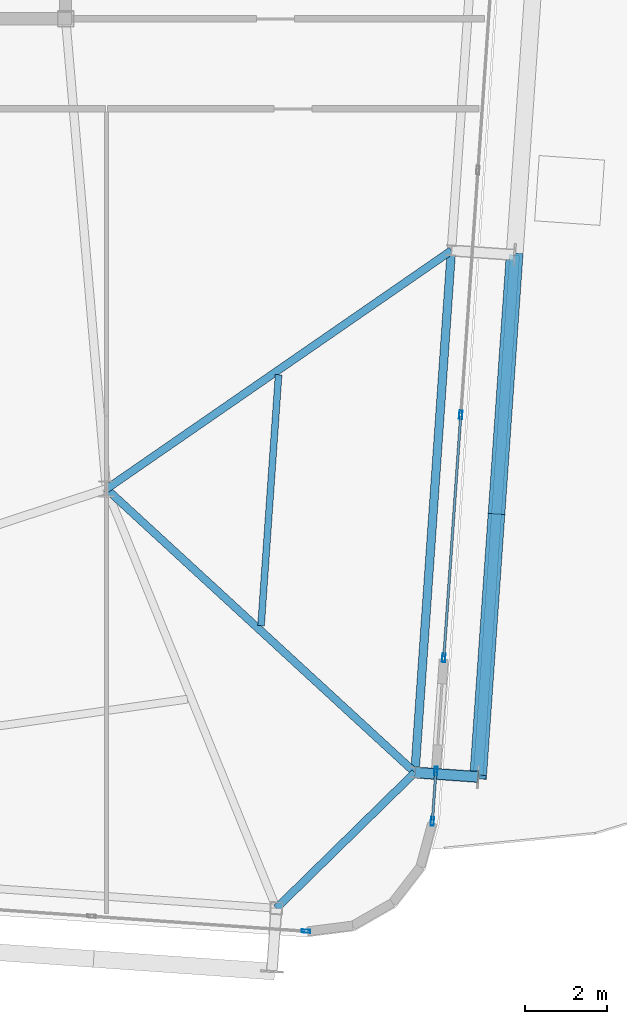
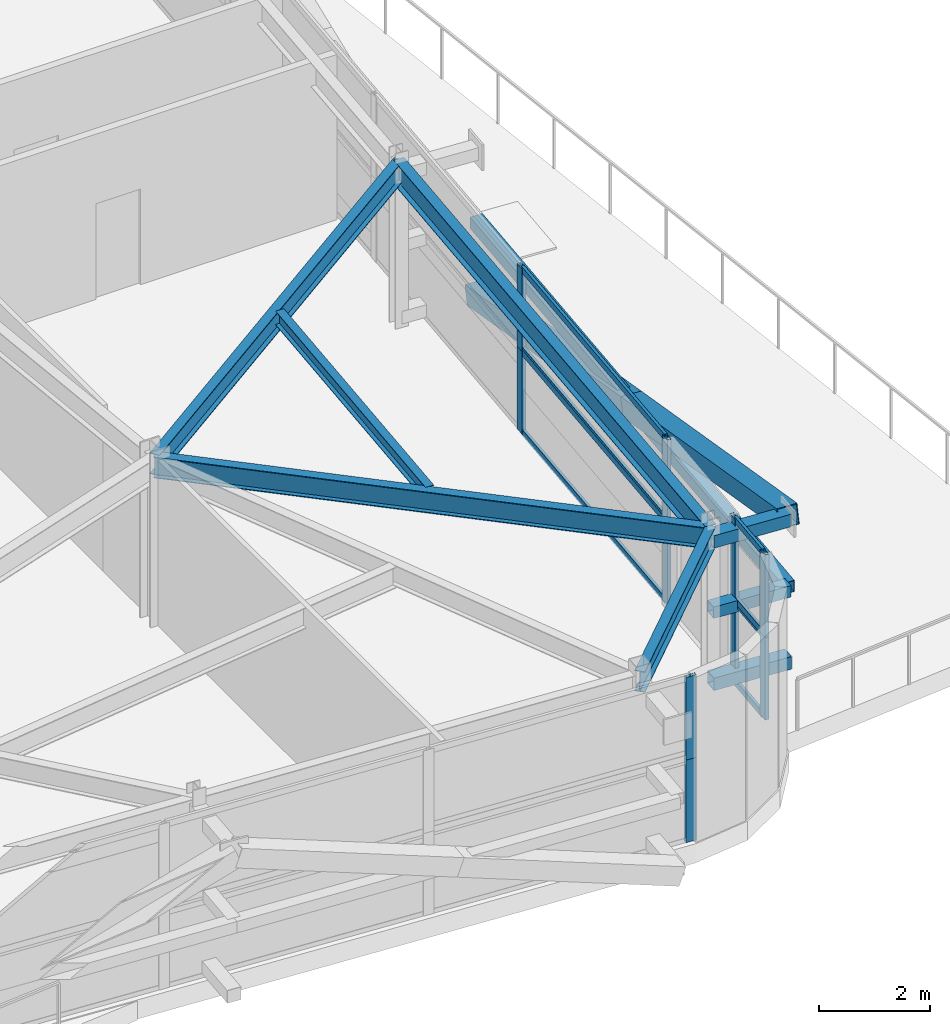
# One storey, part 16 of 36: 24 members, 5 beams, 6 elements without a shape of their own.
"""IFC4 building model written with IfcOpenShell, lengths in metres."""

import ifcopenshell
import ifcopenshell.guid

model = None  # the IFC model being written
_history = None  # IfcOwnerHistory: only IFC2X3 demands one
_inside = {}  # id of a spatial element -> (the spatial element, [elements in it])
_under = {}  # id of a project, library or spatial element -> (it, [spatial elements below it])
_declared = {}  # id of a project -> (the project, [libraries it declares])
_typed = {}  # id of a type object -> (the type object, [elements of that type])
_made_of = {}  # id of a material, layer set ... -> (it, [elements and type objects made of it])


def new_model(schema):
    """Start an empty IFC model of exactly this schema.

    Asked for "IFC4X3", IfcOpenShell would pick the latest addendum, in which some entities
    have other attributes; the version numbers below select the first issue.
    IFC2X3 requires an IfcOwnerHistory on every rooted entity: one is made here for all.
    """
    global model, _history
    if schema == "IFC4X3":
        model = ifcopenshell.file(schema_version=(4, 3, 0, 0))
    else:
        model = ifcopenshell.file(schema=schema)
    _inside.clear()
    _under.clear()
    _declared.clear()
    _typed.clear()
    _made_of.clear()
    _history = None
    if model.schema == "IFC2X3":
        org = make("IfcOrganization", Name="unknown")
        user = make(
            "IfcPersonAndOrganization",
            ThePerson=make("IfcPerson", FamilyName="unknown"),
            TheOrganization=org,
        )
        app = make(
            "IfcApplication",
            ApplicationDeveloper=org,
            Version="unknown",
            ApplicationFullName="unknown",
            ApplicationIdentifier="unknown",
        )
        _history = make(
            "IfcOwnerHistory",
            OwningUser=user,
            OwningApplication=app,
            ChangeAction="ADDED",
            CreationDate=0,
        )
    return model


def make(cls, **values):
    """One entity of the class cls with the attributes given. An attribute that is None is left unset."""
    return model.create_entity(
        cls, **{name: value for name, value in values.items() if value is not None}
    )


def rooted(cls, **values):
    """An entity with a GlobalId (a new one), such as an element, a storey or a relation."""
    return make(cls, GlobalId=ifcopenshell.guid.new(), OwnerHistory=_history, **values)


def si_unit(unit_type, name, prefix=None):
    """IfcSIUnit, for example si_unit("LENGTHUNIT", "METRE", prefix="MILLI")."""
    return make("IfcSIUnit", UnitType=unit_type, Prefix=prefix, Name=name)


def assignment(units):
    """IfcUnitAssignment: the units of a project."""
    return None if units is None else make("IfcUnitAssignment", Units=units)


def point(xyz):
    """IfcCartesianPoint."""
    return None if xyz is None else make("IfcCartesianPoint", Coordinates=xyz)


def direction(xyz):
    """IfcDirection."""
    return None if xyz is None else make("IfcDirection", DirectionRatios=xyz)


def frame(location, z_axis=None, x_axis=None):
    """IfcAxis2Placement3D, a coordinate frame: its origin and axes. An axis left out is left unset."""
    return make(
        "IfcAxis2Placement3D",
        Location=point(location),
        Axis=direction(z_axis),
        RefDirection=direction(x_axis),
    )


def frame_2d(location, x_axis=None):
    """IfcAxis2Placement2D, a coordinate frame in the plane: its origin and x axis."""
    return make(
        "IfcAxis2Placement2D", Location=point(location), RefDirection=direction(x_axis)
    )


def origin():
    """The frame at (0, 0, 0) with its axes left unset."""
    return frame((0.0, 0.0, 0.0))


def origin_2d():
    """The frame at (0, 0) in the plane with its x axis left unset."""
    return frame_2d((0.0, 0.0))


def place(relative_to, where):
    """IfcLocalPlacement: puts the frame where relative to a parent placement (None: the world)."""
    return make(
        "IfcLocalPlacement", PlacementRelTo=relative_to, RelativePlacement=where
    )


def context(
    kind, dimensions, precision=None, world=None, true_north=None, identifier=None
):
    """IfcGeometricRepresentationContext, for example the 3D "Model" context."""
    return make(
        "IfcGeometricRepresentationContext",
        ContextIdentifier=identifier,
        ContextType=kind,
        CoordinateSpaceDimension=dimensions,
        Precision=precision,
        WorldCoordinateSystem=world,
        TrueNorth=true_north,
    )


def subcontext(parent, identifier, kind, view, scale=None):
    """IfcGeometricRepresentationSubContext, for example "Body" below "Model"."""
    return make(
        "IfcGeometricRepresentationSubContext",
        ContextIdentifier=identifier,
        ContextType=kind,
        ParentContext=parent,
        TargetScale=scale,
        TargetView=view,
    )


def project(units=None, contexts=None):
    """IfcProject with its units and contexts."""
    return rooted(
        "IfcProject",
        Name="project",
        RepresentationContexts=contexts,
        UnitsInContext=assignment(units),
    )


def spatial(cls, under=None, at=None, **own):
    """A site, building, storey or space (cls), placed at a placement, below another one or the project."""
    s = rooted(cls, ObjectPlacement=at, **own)
    if under is not None:
        _under.setdefault(under.id(), (under, []))[1].append(s)
    return s


def profile(cls, at=None, kind="AREA", **sizes):
    """A parametric profile (cls). Its sizes go by their IFC names, for example OverallWidth=200.0."""
    return make(cls, ProfileType=kind, Position=at, **sizes)


def hollow_rectangle(**sizes):
    """IfcRectangleHollowProfileDef."""
    return profile("IfcRectangleHollowProfileDef", **sizes)


def i_section(**sizes):
    """IfcIShapeProfileDef."""
    return profile("IfcIShapeProfileDef", **sizes)


def extrude(swept, where, along, depth):
    """IfcExtrudedAreaSolid: the profile swept, set in the frame where, extruded along a direction by depth."""
    return make(
        "IfcExtrudedAreaSolid",
        SweptArea=swept,
        Position=where,
        ExtrudedDirection=direction(along),
        Depth=depth,
    )


def shape(context_of_items, identifier, shape_type, items):
    """IfcShapeRepresentation: the items that make up one representation, for example the "Body"."""
    return make(
        "IfcShapeRepresentation",
        ContextOfItems=context_of_items,
        RepresentationIdentifier=identifier,
        RepresentationType=shape_type,
        Items=items,
    )


def source(mapping_origin, context_of_items, identifier, shape_type, items):
    """IfcRepresentationMap: a shape defined once, which mapped items show again and again."""
    return make(
        "IfcRepresentationMap",
        MappingOrigin=mapping_origin,
        MappedRepresentation=shape(context_of_items, identifier, shape_type, items),
    )


def transform(
    local_origin,
    x_axis=None,
    y_axis=None,
    z_axis=None,
    scale=None,
    scale2=None,
    scale3=None,
    uniform=True,
):
    """IfcCartesianTransformationOperator3D, or its non-uniform kind. x_axis, y_axis, z_axis: its Axis1, 2, 3."""
    if uniform:
        return make(
            "IfcCartesianTransformationOperator3D",
            Axis1=direction(x_axis),
            Axis2=direction(y_axis),
            LocalOrigin=point(local_origin),
            Scale=scale,
            Axis3=direction(z_axis),
        )
    return make(
        "IfcCartesianTransformationOperator3DnonUniform",
        Axis1=direction(x_axis),
        Axis2=direction(y_axis),
        LocalOrigin=point(local_origin),
        Scale=scale,
        Axis3=direction(z_axis),
        Scale2=scale2,
        Scale3=scale3,
    )


def mapped(mapping_source, mapping_target):
    """IfcMappedItem: shows the shape of a source again, moved by a transform."""
    return make(
        "IfcMappedItem", MappingSource=mapping_source, MappingTarget=mapping_target
    )


def material(Name=None, Category=None):
    """IfcMaterial."""
    return make("IfcMaterial", Name=Name, Category=Category)


def layer(
    of_material, thickness, ventilated=None, Name=None, Category=None, Priority=None
):
    """IfcMaterialLayer: one layer of a wall or slab, of a material (None: an air gap)."""
    return make(
        "IfcMaterialLayer",
        Material=of_material,
        LayerThickness=thickness,
        IsVentilated=ventilated,
        Name=Name,
        Category=Category,
        Priority=Priority,
    )


def layer_set(layers, Name=None):
    """IfcMaterialLayerSet."""
    return make("IfcMaterialLayerSet", MaterialLayers=layers, LayerSetName=Name)


def material_profile(
    of_material, cross_section, Name=None, Category=None, Priority=None
):
    """IfcMaterialProfile: a cross section and its material."""
    return make(
        "IfcMaterialProfile",
        Name=Name,
        Material=of_material,
        Profile=cross_section,
        Priority=Priority,
        Category=Category,
    )


def profile_set(profiles, Name=None, composite=None):
    """IfcMaterialProfileSet."""
    return make(
        "IfcMaterialProfileSet",
        Name=Name,
        MaterialProfiles=profiles,
        CompositeProfile=composite,
    )


def made_of(thing, what):
    """Note that an element or type object is made of a material, layer set ...; save() writes the relation."""
    if what is not None:
        _made_of.setdefault(what.id(), (what, []))[1].append(thing)
    return thing


def type_object(cls, material=None, **own):
    """A type object (cls), such as IfcWallType, which elements share."""
    return made_of(rooted(cls, **own), material)


def element(
    cls,
    number,
    at=None,
    inside=None,
    cuts=None,
    type_object=None,
    material=None,
    context=None,
    identifier="Body",
    shape_type=None,
    held_by="IfcProductDefinitionShape",
    body=None,
    shapes=None,
    **own,
):
    """One element of the class cls, such as IfcWall. Its Tag is "e" and its number.

    at: its placement. inside: the storey or other place that contains it. cuts: it is an
    opening in that element (IfcRelVoidsElement). A single representation is given by context,
    identifier, shape_type and body (its items); several are given by shapes. held_by: the class
    of the entity that holds the representations. save() writes the other relations.
    """
    e = rooted(cls, Tag="e%d" % number, ObjectPlacement=at, **own)
    if body is not None:
        shapes = [shape(context, identifier, shape_type, body)]
    if shapes is not None:
        e.Representation = make(held_by, Representations=shapes)
    if inside is not None:
        _inside.setdefault(inside.id(), (inside, []))[1].append(e)
    if cuts is not None:
        rooted(
            "IfcRelVoidsElement", RelatingBuildingElement=cuts, RelatedOpeningElement=e
        )
    if type_object is not None:
        _typed.setdefault(type_object.id(), (type_object, []))[1].append(e)
    return made_of(e, material)


def aggregate(whole, parts):
    """IfcRelAggregates: a whole, such as a stair, and the parts it consists of."""
    return rooted("IfcRelAggregates", RelatingObject=whole, RelatedObjects=parts)


def save(model, path):
    """Write the relations noted so far, then the file.

    IfcRelAggregates (storeys below a building ...), IfcRelContainedInSpatialStructure (elements
    in a storey), IfcRelDefinesByType, IfcRelAssociatesMaterial and IfcRelDeclares: one each for
    every whole, place, type object, material and project.
    """
    for whole, parts in _under.values():
        aggregate(whole, parts)
    for where, things in _inside.values():
        rooted(
            "IfcRelContainedInSpatialStructure",
            RelatedElements=things,
            RelatingStructure=where,
        )
    for kind, things in _typed.values():
        rooted("IfcRelDefinesByType", RelatedObjects=things, RelatingType=kind)
    for what, things in _made_of.values():
        rooted("IfcRelAssociatesMaterial", RelatedObjects=things, RelatingMaterial=what)
    for by, libraries in _declared.values():
        rooted("IfcRelDeclares", RelatingContext=by, RelatedDefinitions=libraries)
    model.write(path)


model = new_model("IFC4")

# Units and contexts
model_context = context("Model", 3, precision=1e-05, world=origin(), true_north=direction((0.0, 1.0)))
body_context = subcontext(model_context, "Body", "Model", "MODEL_VIEW")
ifc_project = project(units=[si_unit("LENGTHUNIT", "METRE"), si_unit("AREAUNIT", "SQUARE_METRE"), si_unit("VOLUMEUNIT", "CUBIC_METRE"), si_unit("PLANEANGLEUNIT", "RADIAN"), si_unit("MASSUNIT", "GRAM", prefix="KILO")], contexts=[model_context])

# Site, building, storey
site_placement = place(None, origin())
site = spatial("IfcSite", under=ifc_project, at=site_placement, CompositionType="ELEMENT")
building_placement = place(site_placement, origin())
building = spatial("IfcBuilding", under=site, at=building_placement, Name="Taldren Reach Tower", CompositionType="ELEMENT")
storey_placement = place(building_placement, frame((0.0, 0.0, 116.550048828125)))
storey = spatial("IfcBuildingStorey", under=building, at=storey_placement, Name="L35", CompositionType="ELEMENT", Elevation=116.550048828125)

# Members
ifc_material_1 = material(Name="Steel Gr 450 (C450L0)", Category="steel")
ifc_material_profile_1 = material_profile(ifc_material_1, hollow_rectangle(XDim=0.27490234375, YDim=0.27490234375, WallThickness=0.00927734375, at=origin_2d()), Name="275x275x9.3SHS")
ifc_profile_set_1 = profile_set([ifc_material_profile_1], Name="Steel Gr 450 (C450L0)")
member_type_1 = type_object("IfcMemberType", Name="MB-TIE273", PredefinedType="STRUT", material=ifc_profile_set_1)
shared_shape_1 = source(origin(), body_context, "Body", "SweptSolid", [
    extrude(hollow_rectangle(XDim=0.27490234375, YDim=0.27490234375, WallThickness=0.00927734375, at=origin_2d()), origin(), (0.0, 0.0, 1.0), 1.5498046875),
])
for number, where, z_axis, x_axis, name in (
    (1, (59.54541015625, 5.562744140625, 3.349853515625), (0.997573320145, -0.069623781384, 0.0), (0.069623781384, 0.997573320145, 0.0), "Exoskeleton diaphragm tie strut B3-E1 L35"),
    (2, (59.54541015625, 5.562744140625, 0.219970703125), (0.997573320145, -0.069623781384, 0.0), (0.069623781384, 0.997573320145, 0.0), "Exoskeleton base diaphragm tie strut B3-E1 L35"),
):
    element("IfcMember", number, at=place(storey_placement, frame(where, z_axis=z_axis, x_axis=x_axis)), inside=storey, type_object=member_type_1, Name=name, PredefinedType="STRUT", context=body_context, shape_type="MappedRepresentation", body=[
        mapped(shared_shape_1, transform((0.0, 0.0, 0.0), scale=1.0)),
    ])
ifc_material_2 = material(Name="Steel Gr 350 (C350L0)", Category="steel")
ifc_material_profile_2 = material_profile(ifc_material_2, hollow_rectangle(XDim=0.25, YDim=0.25, WallThickness=0.010009765625, at=origin_2d()), Name="250x250x10.0SHS")
ifc_profile_set_2 = profile_set([ifc_material_profile_2], Name="Steel Gr 350 (C350L0)")
member_type_2 = type_object("IfcMemberType", Name="MB-POST250", PredefinedType="POST", material=ifc_profile_set_2)
shared_shape_2 = source(origin(), body_context, "Body", "SweptSolid", [
    extrude(hollow_rectangle(XDim=0.25, YDim=0.25, WallThickness=0.010009765625, at=origin_2d()), origin(), (0.0, 0.0, 1.0), 1.5498046875),
])
member_1_placement = place(storey_placement, frame((59.54541015625, 5.562744140625, 1.784912109375), z_axis=(0.997573320145, -0.069623781384, 0.0), x_axis=(0.069623781384, 0.997573320145, 0.0)))
element("IfcMember", 3, at=member_1_placement, inside=storey, type_object=member_type_2, Name="Exoskeleton mid-tier diaphragm tie B3-E1 L35", PredefinedType="POST", context=body_context, shape_type="MappedRepresentation", body=[
    mapped(shared_shape_2, transform((0.0, 0.0, 0.0), scale=1.0)),
])

# Beams
ifc_material_3 = material(Name="Steel Gr 350 (350PLUS)", Category="steel")
ifc_material_profile_3 = material_profile(ifc_material_3, i_section(OverallWidth=0.18994140625, OverallDepth=0.4541015625, WebThickness=0.008544921875, FlangeThickness=0.0126953125, at=origin_2d()), Name="460UB67.1")
ifc_profile_set_3 = profile_set([ifc_material_profile_3], Name="Steel Gr 350 (350PLUS)")
beam_type_1 = type_object("IfcBeamType", Name="SP-UB460B", PredefinedType="SPANDREL", material=ifc_profile_set_3)
shared_shape_3 = source(origin(), body_context, "Body", "SweptSolid", [
    extrude(i_section(OverallWidth=0.18994140625, OverallDepth=0.4541015625, WebThickness=0.008544921875, FlangeThickness=0.0126953125, at=origin_2d()), origin(), (0.0, 0.0, 1.0), 4.745849609375),
])
beam_1_placement = place(storey_placement, frame((56.155517578125, 2.2412109375, 3.40283203125), z_axis=(0.714271982806, 0.699868226581, 0.0), x_axis=(-0.699868226581, 0.714271982806, 0.0)))
element("IfcBeam", 4, at=beam_1_placement, inside=storey, type_object=beam_type_1, Name="Perimeter spandrel B3 S6-E1 L35", PredefinedType="SPANDREL", context=body_context, shape_type="MappedRepresentation", body=[
    mapped(shared_shape_3, transform((0.0, 0.0, 0.0), scale=1.0)),
])
ifc_material_profile_4 = material_profile(ifc_material_3, i_section(OverallWidth=0.208984375, OverallDepth=0.528076171875, WebThickness=0.009521484375, FlangeThickness=0.01318359375, at=origin_2d()), Name="530UB82.0")
ifc_profile_set_4 = profile_set([ifc_material_profile_4], Name="Steel Gr 350 (350PLUS)")
beam_type_2 = type_object("IfcBeamType", Name="SP-UB530B", PredefinedType="SPANDREL", material=ifc_profile_set_4)
shared_shape_4 = source(origin(), body_context, "Body", "SweptSolid", [
    extrude(i_section(OverallWidth=0.208984375, OverallDepth=0.528076171875, WebThickness=0.009521484375, FlangeThickness=0.01318359375, at=origin_2d()), origin(), (0.0, 0.0, 1.0), 12.80029296875),
])
beam_2_placement = place(storey_placement, frame((59.54541015625, 5.562744140625, 3.365966796875), z_axis=(0.069750549628, 0.997564464497, 0.0), x_axis=(-0.997564464497, 0.069750549628, 0.0)))
element("IfcBeam", 5, at=beam_2_placement, inside=storey, type_object=beam_type_2, Name="Perimeter spandrel B3 E1-E2 L35", PredefinedType="SPANDREL", context=body_context, shape_type="MappedRepresentation", body=[
    mapped(shared_shape_4, transform((0.0, 0.0, 0.0), scale=1.0)),
])
ifc_material_profile_5 = material_profile(ifc_material_3, i_section(OverallWidth=0.19091796875, OverallDepth=0.4599609375, WebThickness=0.010009765625, FlangeThickness=0.01611328125, at=origin_2d()), Name="460UB82.1")
ifc_profile_set_5 = profile_set([ifc_material_profile_5], Name="Steel Gr 350 (350PLUS)")
beam_type_3 = type_object("IfcBeamType", Name="BM-UB460A", PredefinedType="BEAM", material=ifc_profile_set_5)
shared_shape_5 = source(origin(), body_context, "Body", "SweptSolid", [
    extrude(i_section(OverallWidth=0.19091796875, OverallDepth=0.4599609375, WebThickness=0.010009765625, FlangeThickness=0.01611328125, at=origin_2d()), origin(), (0.0, 0.0, 1.0), 10.249755859375),
])
beam_3_placement = place(storey_placement, frame((52.0, 12.5, 3.39990234375), z_axis=(0.736150772628, -0.676817582483, 0.0), x_axis=(0.676817582483, 0.736150772628, 0.0)))
element("IfcBeam", 6, at=beam_3_placement, inside=storey, type_object=beam_type_3, Name="Primary floor girder B3-E1 L35", PredefinedType="BEAM", context=body_context, shape_type="MappedRepresentation", body=[
    mapped(shared_shape_5, transform((0.0, 0.0, 0.0), scale=1.0)),
])
shared_shape_6 = source(origin(), body_context, "Body", "SweptSolid", [
    extrude(i_section(OverallWidth=0.19091796875, OverallDepth=0.4599609375, WebThickness=0.010009765625, FlangeThickness=0.01611328125, at=origin_2d()), origin(), (0.0, 0.0, 1.0), 10.25732421875),
])
beam_4_placement = place(storey_placement, frame((52.0, 12.5, 3.39990234375), z_axis=(0.822651197727, 0.568546398175, 0.0), x_axis=(-0.568546398175, 0.822651197727, 0.0)))
element("IfcBeam", 7, at=beam_4_placement, inside=storey, type_object=beam_type_3, Name="Primary floor girder B3-E2 L35", PredefinedType="BEAM", context=body_context, shape_type="MappedRepresentation", body=[
    mapped(shared_shape_6, transform((0.0, 0.0, 0.0), scale=1.0)),
])
ifc_material_4 = material(Name="Steel Gr 300 (300PLUS, 300 MPa)", Category="steel")
ifc_material_profile_6 = material_profile(ifc_material_4, i_section(OverallWidth=0.166015625, OverallDepth=0.306884765625, WebThickness=0.006591796875, FlangeThickness=0.01171875, at=origin_2d()), Name="310UB46.2")
ifc_profile_set_6 = profile_set([ifc_material_profile_6], Name="Steel Gr 300 (300PLUS, 300 MPa)")
beam_type_4 = type_object("IfcBeamType", Name="JS-UB310", PredefinedType="JOIST", material=ifc_profile_set_6)
shared_shape_7 = source(origin(), body_context, "Body", "SweptSolid", [
    extrude(i_section(OverallWidth=0.166015625, OverallDepth=0.306884765625, WebThickness=0.006591796875, FlangeThickness=0.01171875, at=origin_2d()), origin(), (0.0, 0.0, 1.0), 6.155517578125),
])
beam_5_placement = place(storey_placement, frame((55.78125, 9.1533203125, 3.4765625), z_axis=(0.069764400024, 0.997563495969, 0.0), x_axis=(-0.997563495969, 0.069764400024, 0.0)))
element("IfcBeam", 8, at=beam_5_placement, inside=storey, type_object=beam_type_4, Name="Secondary floor joist B3 J7 L35", PredefinedType="JOIST", context=body_context, shape_type="MappedRepresentation", body=[
    mapped(shared_shape_7, transform((0.0, 0.0, 0.0), scale=1.0)),
])

# Members
ifc_material_profile_7 = material_profile(ifc_material_1, hollow_rectangle(XDim=0.409912109375, YDim=0.409912109375, WallThickness=0.01611328125, at=origin_2d()), Name="410x410x16.0SHS")
ifc_profile_set_7 = profile_set([ifc_material_profile_7], Name="Steel Gr 450 (C450L0)")
member_type_3 = type_object("IfcMemberType", Name="MB-EXO406", PredefinedType="BRACE", material=ifc_profile_set_7)
shared_shape_8 = source(origin(), body_context, "Body", "SweptSolid", [
    extrude(hollow_rectangle(XDim=0.409912109375, YDim=0.409912109375, WallThickness=0.01611328125, at=origin_2d()), origin(), (0.0, 0.0, 1.0), 6.588623046875),
])
member_2_placement = place(storey_placement, frame((61.984375, 18.2236328125, 0.219970703125), z_axis=(-0.067736023774, -0.969017919978, 0.237520739821), x_axis=(0.997565791441, -0.069731569223, 0.0)))
element("IfcMember", 9, at=member_2_placement, inside=storey, type_object=member_type_3, Name="Exoskeleton Diagrid Brace B3-E1 L35", PredefinedType="BRACE", context=body_context, shape_type="MappedRepresentation", body=[
    mapped(shared_shape_8, transform((0.0, 0.0, 0.0), scale=1.0)),
])
shared_shape_9 = source(origin(), body_context, "Body", "SweptSolid", [
    extrude(hollow_rectangle(XDim=0.409912109375, YDim=0.409912109375, WallThickness=0.01611328125, at=origin_2d()), origin(), (0.0, 0.0, 1.0), 6.58837890625),
])
member_3_placement = place(storey_placement, frame((61.5380859375, 11.839111328125, 1.784912109375), z_axis=(-0.067775341912, -0.969013226359, 0.237528672312), x_axis=(0.997562951496, -0.069772185021, 0.0)))
element("IfcMember", 10, at=member_3_placement, inside=storey, type_object=member_type_3, Name="Exoskeleton Diagrid Brace B3-E1 L35", PredefinedType="BRACE", context=body_context, shape_type="MappedRepresentation", body=[
    mapped(shared_shape_9, transform((0.0, 0.0, 0.0), scale=1.0)),
])
shared_shape_10 = source(origin(), body_context, "Body", "SweptSolid", [
    extrude(hollow_rectangle(XDim=0.25, YDim=0.25, WallThickness=0.010009765625, at=origin_2d()), origin(), (0.0, 0.0, 1.0), 12.800048828125),
])
member_4_placement = place(storey_placement, frame((61.091552734375, 5.454833984375, 1.784912109375), z_axis=(0.069751876777, 0.9975643717, 0.0), x_axis=(-0.9975643717, 0.069751876777, 0.0)))
element("IfcMember", 11, at=member_4_placement, inside=storey, type_object=member_type_2, Name="Exoskeleton mid-height ring chord B3-E1 L35", PredefinedType="POST", context=body_context, shape_type="MappedRepresentation", body=[
    mapped(shared_shape_10, transform((0.0, 0.0, 0.0), scale=1.0)),
])

# Curtain wall, member
ifc_material_5 = material(Name="Aluminium and Low-E Glass Unitised System", Category="aluminium")
ifc_layer = layer(ifc_material_5, 0.159912109375)
ifc_layer_set = layer_set([ifc_layer], Name="Aluminium and Low-E Glass Unitised System")
curtain_wall_type = type_object("IfcCurtainWallType", Name="CW-SYS-7", PredefinedType="NOTDEFINED", material=ifc_layer_set)
curtain_wall_1_placement = place(storey_placement, origin())
curtain_wall_1 = element("IfcCurtainWall", 12, at=curtain_wall_1_placement, inside=storey, type_object=curtain_wall_type, Name="Unitised curtain wall CW-L35-S2", PredefinedType="NOTDEFINED")
ifc_material_6 = material(Name="Anodised Aluminium 6063-T6", Category="aluminium")
ifc_material_profile_8 = material_profile(ifc_material_6, hollow_rectangle(XDim=0.074951171875, YDim=0.2099609375, WallThickness=0.00439453125, at=origin_2d()), Name="ALU-210x75x4.5RHS")
ifc_profile_set_8 = profile_set([ifc_material_profile_8], Name="Anodised Aluminium 6063-T6")
member_type_4 = type_object("IfcMemberType", Name="CW-MUL-200", PredefinedType="MULLION", material=ifc_profile_set_8)
shared_shape_11 = source(origin(), body_context, "Body", "SweptSolid", [
    extrude(hollow_rectangle(XDim=0.074951171875, YDim=0.2099609375, WallThickness=0.00439453125, at=origin_2d()), origin(), (0.0, 0.0, 1.0), 1.81494140625),
])
member_5_placement = place(storey_placement, frame((56.88037109375, 1.67919921875, 0.0), z_axis=(0.0, 0.0, 1.0), x_axis=(0.069756548088, 0.997564045061, 0.0)))
member_5 = element("IfcMember", 13, at=member_5_placement, type_object=member_type_4, Name="CW-7 mullion 9", PredefinedType="MULLION", context=body_context, shape_type="MappedRepresentation", body=[
    mapped(shared_shape_11, transform((0.0, 0.0, 0.0), scale=1.0)),
])
aggregate(curtain_wall_1, [member_5])

curtain_wall_2_placement = place(storey_placement, origin())
curtain_wall_2 = element("IfcCurtainWall", 14, at=curtain_wall_2_placement, inside=storey, type_object=curtain_wall_type, Name="Unitised curtain wall CW-L35-S2-T2", PredefinedType="NOTDEFINED")
member_6_placement = place(storey_placement, frame((56.88037109375, 1.67919921875, 1.81494140625), z_axis=(0.0, 0.0, 1.0), x_axis=(0.069756548088, 0.997564045061, 0.0)))
member_6 = element("IfcMember", 15, at=member_6_placement, type_object=member_type_4, Name="CW-7 mullion 9", PredefinedType="MULLION", context=body_context, shape_type="MappedRepresentation", body=[
    mapped(shared_shape_11, transform((0.0, 0.0, 0.0), scale=1.0)),
])
aggregate(curtain_wall_2, [member_6])

# Curtain wall, members
curtain_wall_3_placement = place(storey_placement, origin())
curtain_wall_3 = element("IfcCurtainWall", 16, at=curtain_wall_3_placement, inside=storey, type_object=curtain_wall_type, Name="Unitised curtain wall CW-L35-E1", PredefinedType="NOTDEFINED")
member_7_placement = place(storey_placement, frame((59.97314453125, 4.36767578125, 0.0), z_axis=(0.0, 0.0, 1.0), x_axis=(-0.997564106413, 0.069755670707, 0.0)))
member_7 = element("IfcMember", 17, at=member_7_placement, type_object=member_type_4, Name="CW-7 mullion 1", PredefinedType="MULLION", context=body_context, shape_type="MappedRepresentation", body=[
    mapped(shared_shape_11, transform((0.0, 0.0, 0.0), scale=1.0)),
])
member_8_placement = place(storey_placement, frame((60.05908203125, 5.599609375, 0.0), z_axis=(0.0, 0.0, 1.0), x_axis=(-0.997564106413, 0.069755670707, 0.0)))
member_8 = element("IfcMember", 18, at=member_8_placement, type_object=member_type_4, Name="CW-7 mullion 2", PredefinedType="MULLION", context=body_context, shape_type="MappedRepresentation", body=[
    mapped(shared_shape_11, transform((0.0, 0.0, 0.0), scale=1.0)),
])

curtain_wall_4_placement = place(storey_placement, origin())
curtain_wall_4 = element("IfcCurtainWall", 19, at=curtain_wall_4_placement, inside=storey, type_object=curtain_wall_type, Name="Unitised curtain wall CW-L35-E1-T2", PredefinedType="NOTDEFINED")
member_9_placement = place(storey_placement, frame((59.97314453125, 4.36767578125, 1.81494140625), z_axis=(0.0, 0.0, 1.0), x_axis=(-0.997564106413, 0.069755670707, 0.0)))
member_9 = element("IfcMember", 20, at=member_9_placement, type_object=member_type_4, Name="CW-7 mullion 1", PredefinedType="MULLION", context=body_context, shape_type="MappedRepresentation", body=[
    mapped(shared_shape_11, transform((0.0, 0.0, 0.0), scale=1.0)),
])
member_10_placement = place(storey_placement, frame((60.05908203125, 5.599609375, 1.81494140625), z_axis=(0.0, 0.0, 1.0), x_axis=(-0.997564106413, 0.069755670707, 0.0)))
member_10 = element("IfcMember", 21, at=member_10_placement, type_object=member_type_4, Name="CW-7 mullion 2", PredefinedType="MULLION", context=body_context, shape_type="MappedRepresentation", body=[
    mapped(shared_shape_11, transform((0.0, 0.0, 0.0), scale=1.0)),
])

curtain_wall_5_placement = place(storey_placement, origin())
curtain_wall_5 = element("IfcCurtainWall", 22, at=curtain_wall_5_placement, inside=storey, type_object=curtain_wall_type, Name="Unitised curtain wall CW-L35-E2", PredefinedType="NOTDEFINED")
member_11_placement = place(storey_placement, frame((60.252685546875, 8.367919921875, 0.0), z_axis=(0.0, 0.0, 1.0), x_axis=(-0.997564043576, 0.069756569329, 0.0)))
member_11 = element("IfcMember", 23, at=member_11_placement, type_object=member_type_4, Name="CW-7 mullion 1", PredefinedType="MULLION", context=body_context, shape_type="MappedRepresentation", body=[
    mapped(shared_shape_11, transform((0.0, 0.0, 0.0), scale=1.0)),
])
member_12_placement = place(storey_placement, frame((60.66845703125, 14.313232421875, 0.0), z_axis=(0.0, 0.0, 1.0), x_axis=(-0.997564043576, 0.069756569329, 0.0)))
member_12 = element("IfcMember", 24, at=member_12_placement, type_object=member_type_4, Name="CW-7 mullion 2", PredefinedType="MULLION", context=body_context, shape_type="MappedRepresentation", body=[
    mapped(shared_shape_11, transform((0.0, 0.0, 0.0), scale=1.0)),
])

curtain_wall_6_placement = place(storey_placement, origin())
curtain_wall_6 = element("IfcCurtainWall", 25, at=curtain_wall_6_placement, inside=storey, type_object=curtain_wall_type, Name="Unitised curtain wall CW-L35-E2-T2", PredefinedType="NOTDEFINED")
member_13_placement = place(storey_placement, frame((60.252685546875, 8.367919921875, 1.81494140625), z_axis=(0.0, 0.0, 1.0), x_axis=(-0.997564043576, 0.069756569329, 0.0)))
member_13 = element("IfcMember", 26, at=member_13_placement, type_object=member_type_4, Name="CW-7 mullion 1", PredefinedType="MULLION", context=body_context, shape_type="MappedRepresentation", body=[
    mapped(shared_shape_11, transform((0.0, 0.0, 0.0), scale=1.0)),
])
member_14_placement = place(storey_placement, frame((60.66845703125, 14.313232421875, 1.81494140625), z_axis=(0.0, 0.0, 1.0), x_axis=(-0.997564043576, 0.069756569329, 0.0)))
member_14 = element("IfcMember", 27, at=member_14_placement, type_object=member_type_4, Name="CW-7 mullion 2", PredefinedType="MULLION", context=body_context, shape_type="MappedRepresentation", body=[
    mapped(shared_shape_11, transform((0.0, 0.0, 0.0), scale=1.0)),
])

# Member
ifc_material_profile_9 = material_profile(ifc_material_6, hollow_rectangle(XDim=0.06005859375, YDim=0.135009765625, WallThickness=0.00341796875, at=origin_2d()), Name="ALU-135x60x3.5RHS")
ifc_profile_set_9 = profile_set([ifc_material_profile_9], Name="Anodised Aluminium 6063-T6")
member_type_5 = type_object("IfcMemberType", Name="CW-TRN-150", PredefinedType="USERDEFINED", material=ifc_profile_set_9)
shared_shape_12 = source(origin(), body_context, "Body", "SweptSolid", [
    extrude(hollow_rectangle(XDim=0.06005859375, YDim=0.135009765625, WallThickness=0.00341796875, at=origin_2d()), origin(), (0.0, 0.0, 1.0), 1.16015625),
])
member_15_placement = place(storey_placement, frame((59.9755859375, 4.405029296875, 0.030029296875), z_axis=(0.06987101337, 0.997556034261, 0.0), x_axis=(-0.997556034261, 0.06987101337, 0.0)))
member_15 = element("IfcMember", 28, at=member_15_placement, type_object=member_type_5, Name="CW-7 transom 1.1", ObjectType="TRANSOM", PredefinedType="USERDEFINED", context=body_context, shape_type="MappedRepresentation", body=[
    mapped(shared_shape_12, transform((0.0, 0.0, 0.0), scale=1.0)),
])

member_16_placement = place(storey_placement, frame((59.9755859375, 4.405029296875, 1.784912109375), z_axis=(0.06987101337, 0.997556034261, 0.0), x_axis=(-0.997556034261, 0.06987101337, 0.0)))
member_16 = element("IfcMember", 29, at=member_16_placement, type_object=member_type_5, Name="CW-7 transom 1.2", ObjectType="TRANSOM", PredefinedType="USERDEFINED", context=body_context, shape_type="MappedRepresentation", body=[
    mapped(shared_shape_12, transform((0.0, 0.0, 0.0), scale=1.0)),
])

aggregate(curtain_wall_3, [member_7, member_8, member_15, member_16])

member_17_placement = place(storey_placement, frame((59.9755859375, 4.405029296875, 1.844970703125), z_axis=(0.06987101337, 0.997556034261, 0.0), x_axis=(-0.997556034261, 0.06987101337, 0.0)))
member_17 = element("IfcMember", 30, at=member_17_placement, type_object=member_type_5, Name="CW-7 transom 1.1", ObjectType="TRANSOM", PredefinedType="USERDEFINED", context=body_context, shape_type="MappedRepresentation", body=[
    mapped(shared_shape_12, transform((0.0, 0.0, 0.0), scale=1.0)),
])

member_18_placement = place(storey_placement, frame((59.9755859375, 4.405029296875, 3.599853515625), z_axis=(0.06987101337, 0.997556034261, 0.0), x_axis=(-0.997556034261, 0.06987101337, 0.0)))
member_18 = element("IfcMember", 31, at=member_18_placement, type_object=member_type_5, Name="CW-7 transom 1.2", ObjectType="TRANSOM", PredefinedType="USERDEFINED", context=body_context, shape_type="MappedRepresentation", body=[
    mapped(shared_shape_12, transform((0.0, 0.0, 0.0), scale=1.0)),
])

aggregate(curtain_wall_4, [member_9, member_10, member_17, member_18])

shared_shape_13 = source(origin(), body_context, "Body", "SweptSolid", [
    extrude(hollow_rectangle(XDim=0.06005859375, YDim=0.135009765625, WallThickness=0.00341796875, at=origin_2d()), origin(), (0.0, 0.0, 1.0), 5.885009765625),
])
member_19_placement = place(storey_placement, frame((60.25537109375, 8.4052734375, 0.030029296875), z_axis=(0.06973747821, 0.997565378375, 0.0), x_axis=(-0.997565378375, 0.06973747821, 0.0)))
member_19 = element("IfcMember", 32, at=member_19_placement, type_object=member_type_5, Name="CW-7 transom 1.1", ObjectType="TRANSOM", PredefinedType="USERDEFINED", context=body_context, shape_type="MappedRepresentation", body=[
    mapped(shared_shape_13, transform((0.0, 0.0, 0.0), scale=1.0)),
])

member_20_placement = place(storey_placement, frame((60.25537109375, 8.4052734375, 1.784912109375), z_axis=(0.06973747821, 0.997565378375, 0.0), x_axis=(-0.997565378375, 0.06973747821, 0.0)))
member_20 = element("IfcMember", 33, at=member_20_placement, type_object=member_type_5, Name="CW-7 transom 1.2", ObjectType="TRANSOM", PredefinedType="USERDEFINED", context=body_context, shape_type="MappedRepresentation", body=[
    mapped(shared_shape_13, transform((0.0, 0.0, 0.0), scale=1.0)),
])

aggregate(curtain_wall_5, [member_11, member_12, member_19, member_20])

member_21_placement = place(storey_placement, frame((60.25537109375, 8.4052734375, 1.844970703125), z_axis=(0.06973747821, 0.997565378375, 0.0), x_axis=(-0.997565378375, 0.06973747821, 0.0)))
member_21 = element("IfcMember", 34, at=member_21_placement, type_object=member_type_5, Name="CW-7 transom 1.1", ObjectType="TRANSOM", PredefinedType="USERDEFINED", context=body_context, shape_type="MappedRepresentation", body=[
    mapped(shared_shape_13, transform((0.0, 0.0, 0.0), scale=1.0)),
])

member_22_placement = place(storey_placement, frame((60.25537109375, 8.4052734375, 3.599853515625), z_axis=(0.06973747821, 0.997565378375, 0.0), x_axis=(-0.997565378375, 0.06973747821, 0.0)))
member_22 = element("IfcMember", 35, at=member_22_placement, type_object=member_type_5, Name="CW-7 transom 1.2", ObjectType="TRANSOM", PredefinedType="USERDEFINED", context=body_context, shape_type="MappedRepresentation", body=[
    mapped(shared_shape_13, transform((0.0, 0.0, 0.0), scale=1.0)),
])

aggregate(curtain_wall_6, [member_13, member_14, member_21, member_22])

save(model, "model.ifc")
